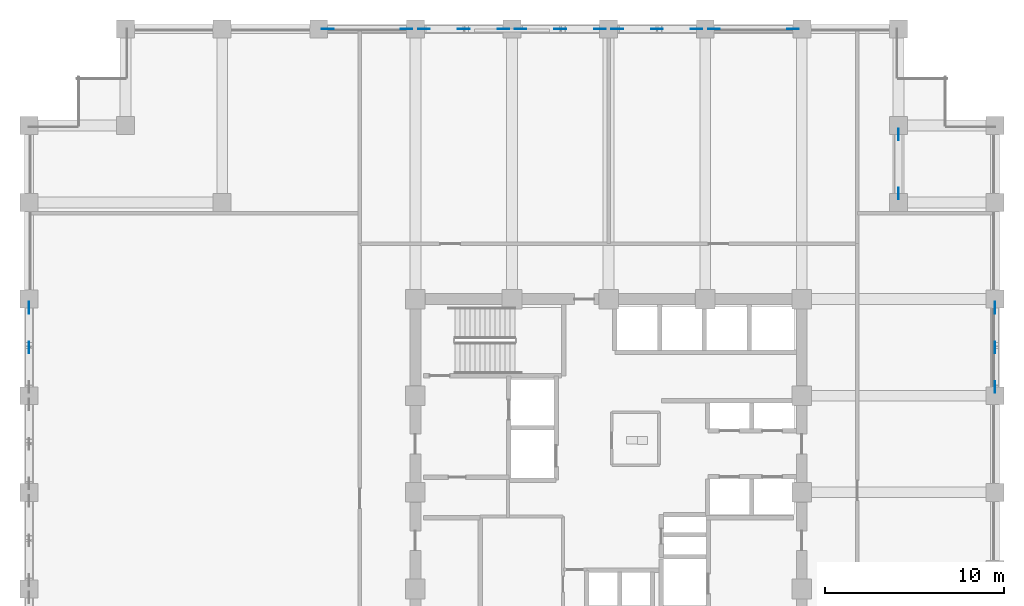
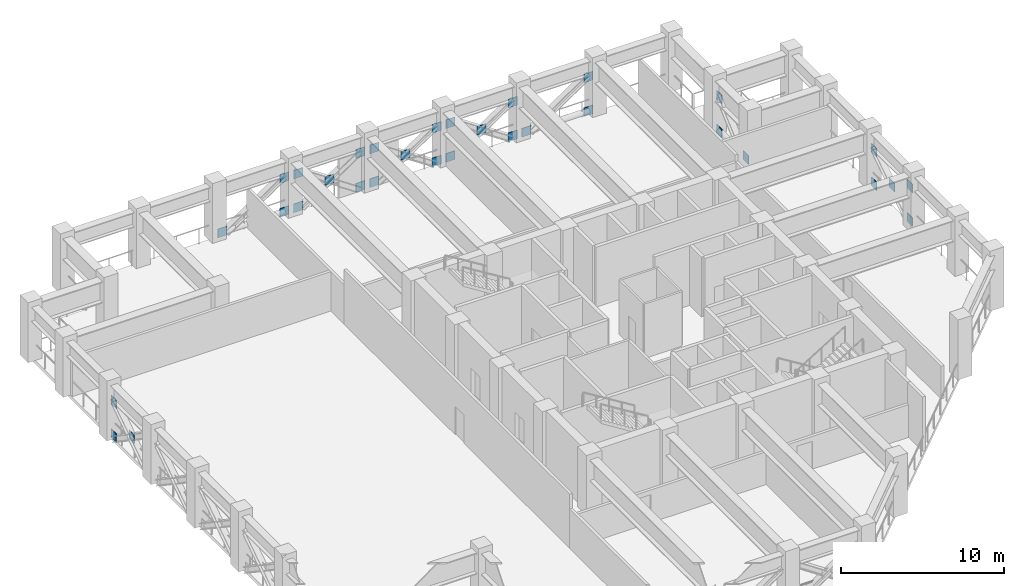
# One storey, part 4 of 12: 32 plates.
"""IFC4 building model written with IfcOpenShell, lengths in metres."""

from ifc_helpers import new_model, si_unit, direction, frame, origin, origin_2d, place, context, subcontext, project, spatial, rectangle, extrude, material, layer, layer_set, type_object, element, save


model = new_model("IFC4")

# Units and contexts
model_context = context("Model", 3, precision=1e-05, world=origin(), true_north=direction((0.0, 1.0)))
body_context = subcontext(model_context, "Body", "Model", "MODEL_VIEW")
ifc_project = project(units=[si_unit("LENGTHUNIT", "METRE"), si_unit("AREAUNIT", "SQUARE_METRE"), si_unit("VOLUMEUNIT", "CUBIC_METRE"), si_unit("PLANEANGLEUNIT", "RADIAN"), si_unit("MASSUNIT", "GRAM", prefix="KILO")], contexts=[model_context])

# Site, building, storey
site_placement = place(None, origin())
site = spatial("IfcSite", under=ifc_project, at=site_placement, CompositionType="ELEMENT")
building_placement = place(site_placement, origin())
building = spatial("IfcBuilding", under=site, at=building_placement, Name="Surkhivell Harbour Commons", CompositionType="ELEMENT")
storey_placement = place(building_placement, frame((0.0, 0.0, 166.5)))
storey = spatial("IfcBuildingStorey", under=building, at=storey_placement, Name="L43", CompositionType="ELEMENT", Elevation=166.5)

# Plates
ifc_material = material(Name="Steel S460", Category="steel")
ifc_layer = layer(ifc_material, 0.044921875)
ifc_layer_set = layer_set([ifc_layer], Name="Steel S460")
plate_type = type_object("IfcPlateType", Name="PLT-GUS-650", PredefinedType="USERDEFINED", material=ifc_layer_set)
for number, where, z_axis, x_axis, name in (
    (1, (-4.9150390625, 25.89990234375, -0.08935546875), (0.0, 0.0, 1.0), (1.0, 0.0, 0.0), "L43 Belt-Truss Diagonal BT- Corner Gusset BN1-1"),
    (2, (-0.485107421875, 25.89990234375, -0.08935546875), (0.0, 0.0, 1.0), (1.0, 0.0, 0.0), "L43 Belt-Truss Diagonal BT- Corner Gusset BN1-2"),
    (3, (-4.9150390625, 25.89990234375, 2.431640625), (0.0, 0.0, 1.0), (1.0, 0.0, 0.0), "L43 Belt-Truss Diagonal BT- Corner Gusset BN1-3"),
    (4, (-0.485107421875, 25.89990234375, 2.431640625), (0.0, 0.0, 1.0), (1.0, 0.0, 0.0), "L43 Belt-Truss Diagonal BT- Corner Gusset BN1-4"),
    (5, (-2.699951171875, 25.89990234375, 1.171142578125), (0.0, 0.0, 1.0), (1.0, 0.0, 0.0), "L43 Belt-Truss Diagonal BT- Central Crossing Gusset BN1"),
    (6, (0.485107421875, 25.89990234375, -0.08935546875), (0.0, 0.0, 1.0), (1.0, 0.0, 0.0), "L43 Belt-Truss Diagonal BT- Corner Gusset BN2-1"),
    (7, (4.9150390625, 25.89990234375, -0.08935546875), (0.0, 0.0, 1.0), (1.0, 0.0, 0.0), "L43 Belt-Truss Diagonal BT- Corner Gusset BN2-2"),
    (8, (0.485107421875, 25.89990234375, 2.431640625), (0.0, 0.0, 1.0), (1.0, 0.0, 0.0), "L43 Belt-Truss Diagonal BT- Corner Gusset BN2-3"),
    (9, (4.9150390625, 25.89990234375, 2.431640625), (0.0, 0.0, 1.0), (1.0, 0.0, 0.0), "L43 Belt-Truss Diagonal BT- Corner Gusset BN2-4"),
    (10, (2.699951171875, 25.89990234375, 1.171142578125), (0.0, 0.0, 1.0), (1.0, 0.0, 0.0), "L43 Belt-Truss Diagonal BT- Central Crossing Gusset BN2"),
    (11, (21.60009765625, 5.885009765625, -0.08935546875), (0.0, 0.0, 1.0), (0.0, 1.0, 0.0), "L43 Belt-Truss Diagonal BT- Corner Gusset BE1-1"),
    (12, (21.60009765625, 10.31494140625, -0.08935546875), (0.0, 0.0, 1.0), (0.0, 1.0, 0.0), "L43 Belt-Truss Diagonal BT- Corner Gusset BE1-2"),
    (13, (21.60009765625, 5.885009765625, 2.431640625), (0.0, 0.0, 1.0), (0.0, 1.0, 0.0), "L43 Belt-Truss Diagonal BT- Corner Gusset BE1-3"),
    (14, (21.60009765625, 10.31494140625, 2.431640625), (0.0, 0.0, 1.0), (0.0, 1.0, 0.0), "L43 Belt-Truss Diagonal BT- Corner Gusset BE1-4"),
    (15, (21.60009765625, 8.10009765625, 1.171142578125), (0.0, 0.0, 1.0), (0.0, 1.0, 0.0), "L43 Belt-Truss Diagonal BT- Central Crossing Gusset BE1"),
    (16, (-10.31494140625, 25.89990234375, -0.08935546875), (0.0, 0.0, 1.0), (1.0, 0.0, 0.0), "L43 Belt-Truss Diagonal BT- Corner Gusset BN3-1"),
    (17, (-5.885009765625, 25.89990234375, -0.08935546875), (0.0, 0.0, 1.0), (1.0, 0.0, 0.0), "L43 Belt-Truss Diagonal BT- Corner Gusset BN3-2"),
    (18, (-10.31494140625, 25.89990234375, 2.431640625), (0.0, 0.0, 1.0), (1.0, 0.0, 0.0), "L43 Belt-Truss Diagonal BT- Corner Gusset BN3-3"),
    (19, (-5.885009765625, 25.89990234375, 2.431640625), (0.0, 0.0, 1.0), (1.0, 0.0, 0.0), "L43 Belt-Truss Diagonal BT- Corner Gusset BN3-4"),
    (20, (-8.10009765625, 25.89990234375, 1.171142578125), (0.0, 0.0, 1.0), (1.0, 0.0, 0.0), "L43 Belt-Truss Diagonal BT- Central Crossing Gusset BN3"),
    (21, (-32.39990234375, 10.31494140625, -0.08935546875), (0.0, 0.0, 1.0), (0.0, 1.0, 0.0), "L43 Belt-Truss Diagonal BT- Corner Gusset BW4-2"),
    (22, (-32.39990234375, 10.31494140625, 2.431640625), (0.0, 0.0, 1.0), (0.0, 1.0, 0.0), "L43 Belt-Truss Diagonal BT- Corner Gusset BW4-4"),
    (23, (-32.39990234375, 8.10009765625, 1.171142578125), (0.0, 0.0, 1.0), (0.0, 1.0, 0.0), "L43 Belt-Truss Diagonal BT- Central Crossing Gusset BW4"),
    (24, (16.199951171875, 16.697998046875, -0.094970703125), (0.0, 0.0, 1.0), (0.0, 1.0, 0.0), "L43 Outrigger Node Gusset Plate GP-02-1"),
    (25, (16.199951171875, 20.001953125, -0.094970703125), (0.0, 0.0, 1.0), (0.0, 1.0, 0.0), "L43 Outrigger Node Gusset Plate GP-02-2"),
    (26, (16.199951171875, 20.001953125, 2.441162109375), (0.0, 0.0, 1.0), (0.0, 1.0, 0.0), "L43 Outrigger Top Gusset Plate GP-02-3"),
    (27, (-15.701904296875, 25.89990234375, -0.094970703125), (0.0, 0.0, 1.0), (1.0, 0.0, 0.0), "L43 Outrigger Node Gusset Plate GP-04-1"),
    (28, (-11.298095703125, 25.89990234375, -0.094970703125), (0.0, 0.0, 1.0), (1.0, 0.0, 0.0), "L43 Outrigger Node Gusset Plate GP-04-2"),
    (29, (-11.298095703125, 25.89990234375, 2.441162109375), (0.0, 0.0, 1.0), (1.0, 0.0, 0.0), "L43 Outrigger Top Gusset Plate GP-04-3"),
    (30, (5.89794921875, 25.89990234375, -0.094970703125), (0.0, 0.0, 1.0), (1.0, 0.0, 0.0), "L43 Outrigger Node Gusset Plate GP-06-1"),
    (31, (10.302001953125, 25.89990234375, -0.094970703125), (0.0, 0.0, 1.0), (1.0, 0.0, 0.0), "L43 Outrigger Node Gusset Plate GP-06-2"),
    (32, (10.302001953125, 25.89990234375, 2.441162109375), (0.0, 0.0, 1.0), (1.0, 0.0, 0.0), "L43 Outrigger Top Gusset Plate GP-06-3"),
):
    element("IfcPlate", number, at=place(storey_placement, frame(where, z_axis=z_axis, x_axis=x_axis)), inside=storey, type_object=plate_type, Name=name, ObjectType="GUSSET_PLATE", PredefinedType="USERDEFINED", context=body_context, shape_type="SweptSolid", body=[
        extrude(rectangle(XDim=0.64990234375, YDim=0.044921875, at=origin_2d()), origin(), (0.0, 0.0, 1.0), 0.64990234375),
    ])

save(model, "model.ifc")
